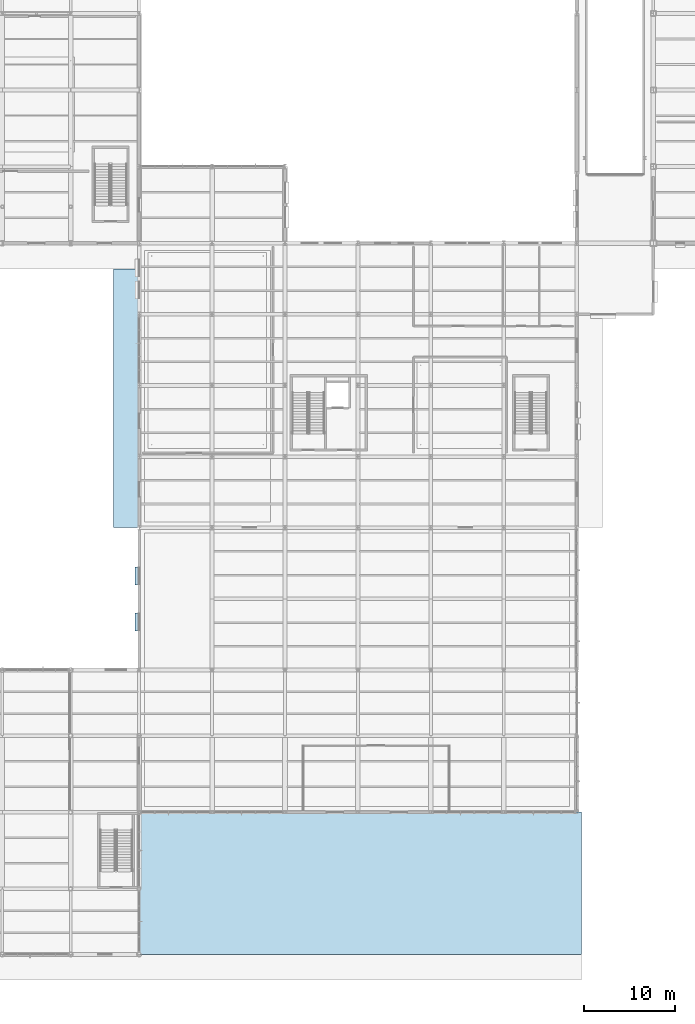
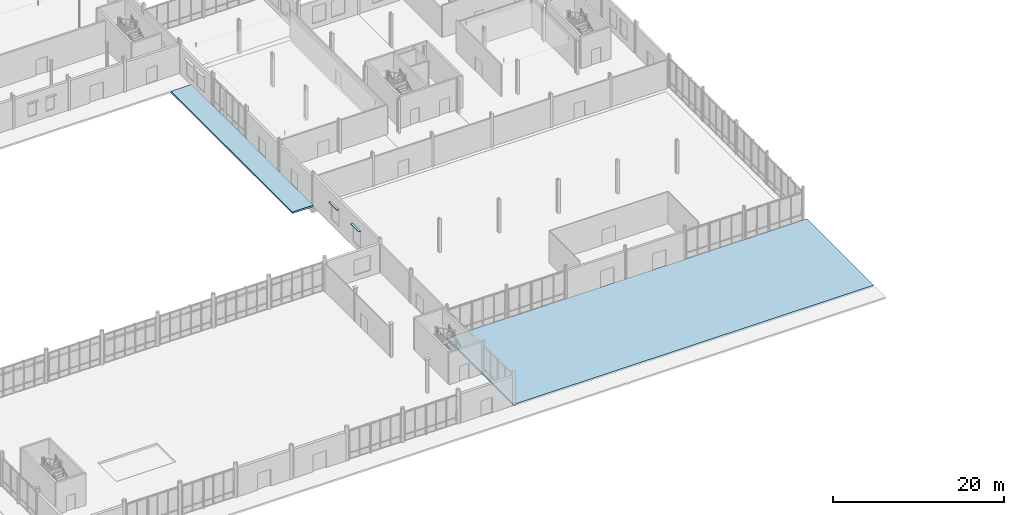
# One storey, part 41 of 82: 2 plates, 2 slabs.
"""IFC4 building model written with IfcOpenShell, lengths in metres."""

from ifc_helpers import new_model, si_unit, direction, frame, origin, origin_2d, place, context, subcontext, project, spatial, polyline, rectangle, outline, extrude, material, layer, layer_set, type_object, element, save


model = new_model("IFC4")

# Units and contexts
model_context = context("Model", 3, precision=1e-05, world=origin(), true_north=direction((0.0, 1.0)))
body_context = subcontext(model_context, "Body", "Model", "MODEL_VIEW")
ifc_project = project(units=[si_unit("LENGTHUNIT", "METRE"), si_unit("AREAUNIT", "SQUARE_METRE"), si_unit("VOLUMEUNIT", "CUBIC_METRE"), si_unit("PLANEANGLEUNIT", "RADIAN"), si_unit("MASSUNIT", "GRAM", prefix="KILO")], contexts=[model_context])

# Site, building, storey
site_placement = place(None, origin())
site = spatial("IfcSite", under=ifc_project, at=site_placement, CompositionType="ELEMENT")
building_placement = place(site_placement, origin())
building = spatial("IfcBuilding", under=site, at=building_placement, Name="Yukiwa Park Conservatory and Herbarium", CompositionType="ELEMENT")
storey_placement = place(building_placement, origin())
storey = spatial("IfcBuildingStorey", under=building, at=storey_placement, Name="L00", CompositionType="ELEMENT", Elevation=0.0)

# Plates
ifc_material_1 = material(Name="Anodised Aluminium", Category="aluminium")
ifc_layer_1 = layer(ifc_material_1, 0.0400390625)
ifc_layer_set_1 = layer_set([ifc_layer_1], Name="Anodised Aluminium")
plate_type = type_object("IfcPlateType", Name="PL-SHADE-ALU-40", PredefinedType="SHEET", material=ifc_layer_set_1)
for number, where, z_axis, x_axis, name in (
    (1, (59.715087890625, 41.511962890625, 3.18994140625), (0.0, 0.0, 1.0), (0.0, -1.0, 0.0), "L00 snow-shedding window hood 24"),
    (2, (59.715087890625, 36.443115234375, 3.18994140625), (0.0, 0.0, 1.0), (0.0, -1.0, 0.0), "L00 snow-shedding window hood 25"),
):
    element("IfcPlate", number, at=place(storey_placement, frame(where, z_axis=z_axis, x_axis=x_axis)), inside=storey, type_object=plate_type, Name=name, PredefinedType="SHEET", context=body_context, shape_type="SweptSolid", body=[
        extrude(rectangle(XDim=1.9599609375, YDim=0.300048828125, at=origin_2d()), origin(), (0.0, 0.0, 1.0), 0.0400390625),
    ])

# Slabs
ifc_material_2 = material(Name="Concrete C35", Category="concrete")
ifc_layer_2 = layer(ifc_material_2, 0.239990234375)
ifc_layer_set_2 = layer_set([ifc_layer_2], Name="Concrete C35")
slab_type = type_object("IfcSlabType", Name="SL-APRON-240", PredefinedType="FLOOR", material=ifc_layer_set_2)
slab_1_placement = place(storey_placement, frame((0.0, 0.0, -0.239990234375)))
element("IfcSlab", 3, at=slab_1_placement, inside=storey, type_object=slab_type, Name="Central botanical park court paving", PredefinedType="FLOOR", context=body_context, shape_type="SweptSolid", body=[
    extrude(outline(polyline([(60.0, 0.0), (108.5, 0.0), (108.5, 15.60009765625), (60.0, 15.60009765625), (60.0, 0.0)])), origin(), (0.0, 0.0, 1.0), 0.239990234375),
])
slab_2_placement = place(storey_placement, frame((0.0, 0.0, -0.239990234375)))
element("IfcSlab", 4, at=slab_2_placement, inside=storey, type_object=slab_type, Name="Visitor forecourt west stoop", PredefinedType="FLOOR", context=body_context, shape_type="SweptSolid", body=[
    extrude(outline(polyline([(57.199951171875, 46.800048828125), (60.0, 46.800048828125), (60.0, 75.199951171875), (57.199951171875, 75.199951171875), (57.199951171875, 46.800048828125)])), origin(), (0.0, 0.0, 1.0), 0.239990234375),
])

save(model, "model.ifc")
